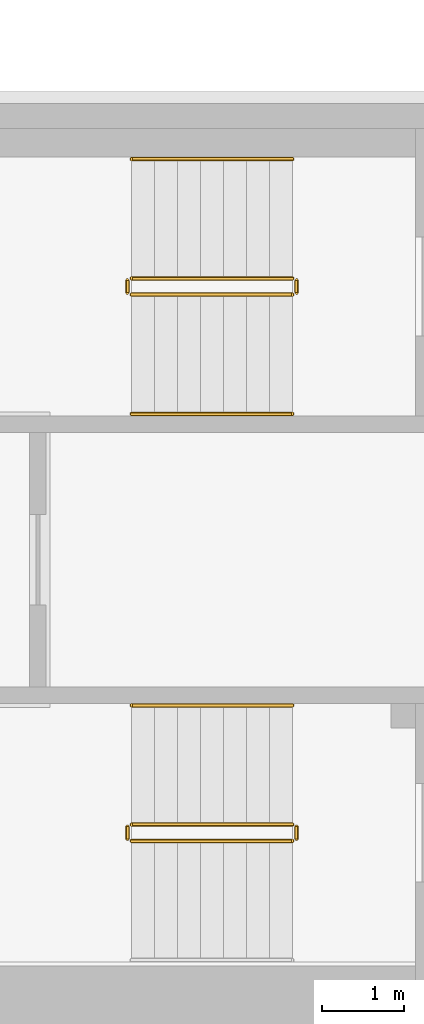
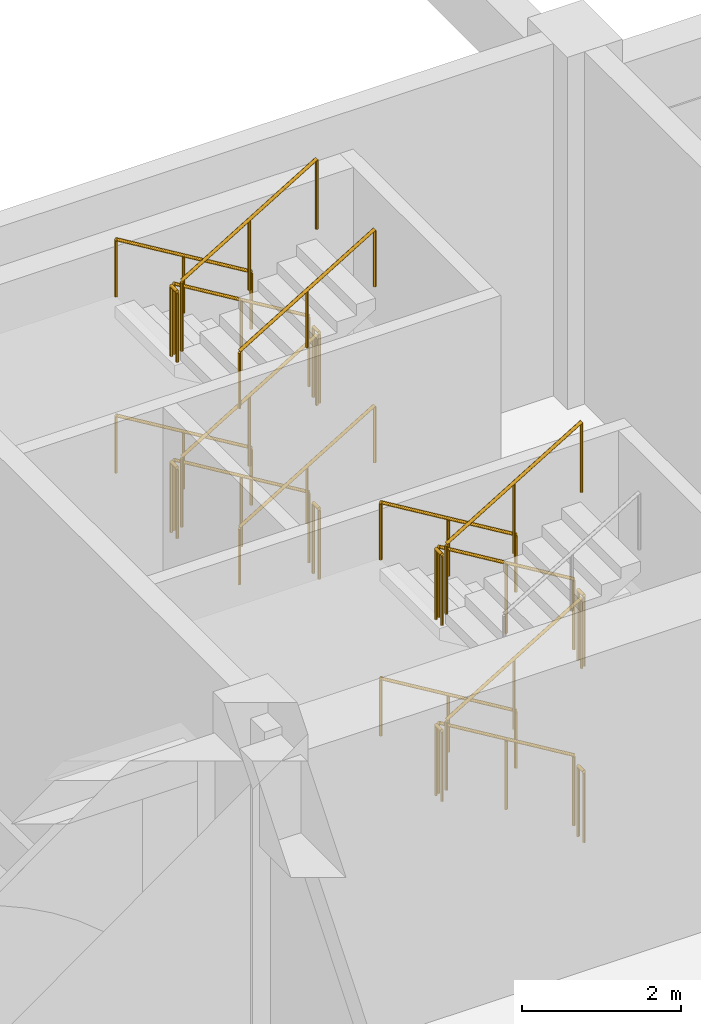
# One storey, part 89 of 101: 22 railings.
"""IFC4 building model written with IfcOpenShell, lengths in metres."""

from ifc_helpers import new_model, si_unit, direction, frame, origin, origin_2d, place, context, subcontext, project, spatial, circle, extrude, material, type_object, element, save


model = new_model("IFC4")

# Units and contexts
model_context = context("Model", 3, precision=1e-05, world=origin(), true_north=direction((0.0, 1.0)))
body_context = subcontext(model_context, "Body", "Model", "MODEL_VIEW")
ifc_project = project(units=[si_unit("LENGTHUNIT", "METRE"), si_unit("AREAUNIT", "SQUARE_METRE"), si_unit("VOLUMEUNIT", "CUBIC_METRE"), si_unit("PLANEANGLEUNIT", "RADIAN"), si_unit("MASSUNIT", "GRAM", prefix="KILO")], contexts=[model_context])

# Site, building, storey
site_placement = place(None, origin())
site = spatial("IfcSite", under=ifc_project, at=site_placement, CompositionType="ELEMENT")
building_placement = place(site_placement, origin())
building = spatial("IfcBuilding", under=site, at=building_placement, Name="Magnolia Steps Interchange", CompositionType="ELEMENT")
storey_placement = place(building_placement, frame((0.0, 0.0, -5.39990234375)))
storey = spatial("IfcBuildingStorey", under=building, at=storey_placement, Name="B1", CompositionType="ELEMENT", Elevation=-5.39990234375)

# Railings
ifc_material_1 = material(Name="Stainless steel grade 304", Category="steel")
railing_type_1 = type_object("IfcRailingType", Name="Stair guard 1100", PredefinedType="GUARDRAIL", material=ifc_material_1)
railing_1_placement = place(storey_placement, frame((59.0, 76.97412109375, 0.168701171875)))
element("IfcRailing", 1, at=railing_1_placement, inside=storey, type_object=railing_type_1, Name="B1 ST1 stair guard 1", PredefinedType="GUARDRAIL", context=body_context, shape_type="SweptSolid", body=[
    extrude(circle(Radius=0.02392578125, at=origin_2d()), frame((0.0, 0.0, 1.076171875), z_axis=(-0.856493463811, 0.0, 0.516157869696), x_axis=(0.0, -1.0, 0.0)), (0.0, 0.0, 1.0), 2.288330078125),
    extrude(circle(Radius=0.02099609375, at=origin_2d()), origin(), (0.0, 0.0, 1.0), 1.052001953125),
    extrude(circle(Radius=0.02099609375, at=origin_2d()), frame((-0.97998046875, 0.0, 0.590576171875)), (0.0, 0.0, 1.0), 1.052001953125),
    extrude(circle(Radius=0.02099609375, at=origin_2d()), frame((-1.9599609375, 0.0, 1.18115234375)), (0.0, 0.0, 1.0), 1.052001953125),
])
railing_2_placement = place(storey_placement, frame((56.989990234375, 76.949951171875, 1.349853515625)))
element("IfcRailing", 2, at=railing_2_placement, inside=storey, type_object=railing_type_1, Name="B1 ST1 stair guard 2", PredefinedType="GUARDRAIL", context=body_context, shape_type="SweptSolid", body=[
    extrude(circle(Radius=0.02392578125, at=origin_2d()), frame((0.0, 0.0, 1.076171875), z_axis=(0.0, -1.0, 0.0), x_axis=(1.0, 0.0, 0.0)), (0.0, 0.0, 1.0), 0.14990234375),
    extrude(circle(Radius=0.02099609375, at=origin_2d()), origin(), (0.0, 0.0, 1.0), 1.052001953125),
    extrude(circle(Radius=0.02099609375, at=origin_2d()), frame((0.0, -0.14990234375, 0.0)), (0.0, 0.0, 1.0), 1.052001953125),
])
railing_3_placement = place(storey_placement, frame((57.0400390625, 76.77587890625, 1.5185546875)))
element("IfcRailing", 3, at=railing_3_placement, inside=storey, type_object=railing_type_1, Name="B1 ST1 stair guard 3", PredefinedType="GUARDRAIL", context=body_context, shape_type="SweptSolid", body=[
    extrude(circle(Radius=0.02392578125, at=origin_2d()), frame((0.0, 0.0, 1.076171875), z_axis=(0.856446297458, 0.0, 0.516236127728), x_axis=(0.0, 1.0, 0.0)), (0.0, 0.0, 1.0), 2.28857421875),
    extrude(circle(Radius=0.02099609375, at=origin_2d()), origin(), (0.0, 0.0, 1.0), 1.052001953125),
    extrude(circle(Radius=0.02099609375, at=origin_2d()), frame((0.97998046875, 0.0, 0.5908203125)), (0.0, 0.0, 1.0), 1.052001953125),
    extrude(circle(Radius=0.02099609375, at=origin_2d()), frame((1.9599609375, 0.0, 1.181396484375)), (0.0, 0.0, 1.0), 1.052001953125),
])
railing_4_placement = place(storey_placement, frame((59.050048828125, 76.949951171875, 2.699951171875)))
element("IfcRailing", 4, at=railing_4_placement, inside=storey, type_object=railing_type_1, Name="B1 ST1 stair guard 4", PredefinedType="GUARDRAIL", context=body_context, shape_type="SweptSolid", body=[
    extrude(circle(Radius=0.02392578125, at=origin_2d()), frame((0.0, 0.0, 1.076171875), z_axis=(0.0, -1.0, 0.0), x_axis=(1.0, 0.0, 0.0)), (0.0, 0.0, 1.0), 0.14990234375),
    extrude(circle(Radius=0.02099609375, at=origin_2d()), origin(), (0.0, 0.0, 1.0), 1.052001953125),
    extrude(circle(Radius=0.02099609375, at=origin_2d()), frame((0.0, -0.14990234375, 0.0)), (0.0, 0.0, 1.0), 1.052001953125),
])
railing_5_placement = place(storey_placement, frame((59.0, 76.97412109375, 2.86865234375)))
element("IfcRailing", 5, at=railing_5_placement, inside=storey, type_object=railing_type_1, Name="B1 ST1 stair guard 5", PredefinedType="GUARDRAIL", context=body_context, shape_type="SweptSolid", body=[
    extrude(circle(Radius=0.02392578125, at=origin_2d()), frame((0.0, 0.0, 1.076171875), z_axis=(-0.856493463811, 0.0, 0.516157869696), x_axis=(0.0, -1.0, 0.0)), (0.0, 0.0, 1.0), 2.288330078125),
    extrude(circle(Radius=0.02099609375, at=origin_2d()), origin(), (0.0, 0.0, 1.0), 1.052001953125),
    extrude(circle(Radius=0.02099609375, at=origin_2d()), frame((-0.97998046875, 0.0, 0.590576171875)), (0.0, 0.0, 1.0), 1.052001953125),
    extrude(circle(Radius=0.02099609375, at=origin_2d()), frame((-1.9599609375, 0.0, 1.18115234375)), (0.0, 0.0, 1.0), 1.052001953125),
])
railing_6_placement = place(storey_placement, frame((56.989990234375, 76.949951171875, 4.0498046875)))
element("IfcRailing", 6, at=railing_6_placement, inside=storey, type_object=railing_type_1, Name="B1 ST1 stair guard 6", PredefinedType="GUARDRAIL", context=body_context, shape_type="SweptSolid", body=[
    extrude(circle(Radius=0.02392578125, at=origin_2d()), frame((0.0, 0.0, 1.076171875), z_axis=(0.0, -1.0, 0.0), x_axis=(1.0, 0.0, 0.0)), (0.0, 0.0, 1.0), 0.14990234375),
    extrude(circle(Radius=0.02099609375, at=origin_2d()), origin(), (0.0, 0.0, 1.0), 1.052001953125),
    extrude(circle(Radius=0.02099609375, at=origin_2d()), frame((0.0, -0.14990234375, 0.0)), (0.0, 0.0, 1.0), 1.052001953125),
])
railing_7_placement = place(storey_placement, frame((57.0400390625, 76.77587890625, 4.21875)))
element("IfcRailing", 7, at=railing_7_placement, inside=storey, type_object=railing_type_1, Name="B1 ST1 stair guard 7", PredefinedType="GUARDRAIL", context=body_context, shape_type="SweptSolid", body=[
    extrude(circle(Radius=0.02392578125, at=origin_2d()), frame((0.0, 0.0, 1.076171875), z_axis=(0.856493463811, 0.0, 0.516157869696), x_axis=(0.0, 1.0, 0.0)), (0.0, 0.0, 1.0), 2.288330078125),
    extrude(circle(Radius=0.02099609375, at=origin_2d()), origin(), (0.0, 0.0, 1.0), 1.052001953125),
    extrude(circle(Radius=0.02099609375, at=origin_2d()), frame((0.97998046875, 0.0, 0.590576171875)), (0.0, 0.0, 1.0), 1.052001953125),
    extrude(circle(Radius=0.02099609375, at=origin_2d()), frame((1.9599609375, 0.0, 1.18115234375)), (0.0, 0.0, 1.0), 1.052001953125),
])
railing_8_placement = place(storey_placement, frame((59.050048828125, 76.949951171875, 0.0)))
element("IfcRailing", 8, at=railing_8_placement, inside=storey, type_object=railing_type_1, Name="B1 ST1 stair guard 8", PredefinedType="GUARDRAIL", context=body_context, shape_type="SweptSolid", body=[
    extrude(circle(Radius=0.02392578125, at=origin_2d()), frame((0.0, 0.0, 1.076171875), z_axis=(0.0, -1.0, 0.0), x_axis=(1.0, 0.0, 0.0)), (0.0, 0.0, 1.0), 0.14990234375),
    extrude(circle(Radius=0.02099609375, at=origin_2d()), origin(), (0.0, 0.0, 1.0), 1.052001953125),
    extrude(circle(Radius=0.02099609375, at=origin_2d()), frame((0.0, -0.14990234375, 0.0)), (0.0, 0.0, 1.0), 1.052001953125),
])
railing_9_placement = place(storey_placement, frame((59.0, 83.6240234375, 0.168701171875)))
element("IfcRailing", 9, at=railing_9_placement, inside=storey, type_object=railing_type_1, Name="B1 ST2 stair guard 1", PredefinedType="GUARDRAIL", context=body_context, shape_type="SweptSolid", body=[
    extrude(circle(Radius=0.02392578125, at=origin_2d()), frame((0.0, 0.0, 1.076171875), z_axis=(-0.856493463811, 0.0, 0.516157869696), x_axis=(0.0, -1.0, 0.0)), (0.0, 0.0, 1.0), 2.288330078125),
    extrude(circle(Radius=0.02099609375, at=origin_2d()), origin(), (0.0, 0.0, 1.0), 1.052001953125),
    extrude(circle(Radius=0.02099609375, at=origin_2d()), frame((-0.97998046875, 0.0, 0.590576171875)), (0.0, 0.0, 1.0), 1.052001953125),
    extrude(circle(Radius=0.02099609375, at=origin_2d()), frame((-1.9599609375, 0.0, 1.18115234375)), (0.0, 0.0, 1.0), 1.052001953125),
])
railing_10_placement = place(storey_placement, frame((56.989990234375, 83.60009765625, 1.349853515625)))
element("IfcRailing", 10, at=railing_10_placement, inside=storey, type_object=railing_type_1, Name="B1 ST2 stair guard 2", PredefinedType="GUARDRAIL", context=body_context, shape_type="SweptSolid", body=[
    extrude(circle(Radius=0.02392578125, at=origin_2d()), frame((0.0, 0.0, 1.076171875), z_axis=(0.0, -1.0, 0.0), x_axis=(1.0, 0.0, 0.0)), (0.0, 0.0, 1.0), 0.150146484375),
    extrude(circle(Radius=0.02099609375, at=origin_2d()), origin(), (0.0, 0.0, 1.0), 1.052001953125),
    extrude(circle(Radius=0.02099609375, at=origin_2d()), frame((0.0, -0.150146484375, 0.0)), (0.0, 0.0, 1.0), 1.052001953125),
])
railing_11_placement = place(storey_placement, frame((57.0400390625, 83.426025390625, 1.5185546875)))
element("IfcRailing", 11, at=railing_11_placement, inside=storey, type_object=railing_type_1, Name="B1 ST2 stair guard 3", PredefinedType="GUARDRAIL", context=body_context, shape_type="SweptSolid", body=[
    extrude(circle(Radius=0.02392578125, at=origin_2d()), frame((0.0, 0.0, 1.076171875), z_axis=(0.856446297458, 0.0, 0.516236127728), x_axis=(0.0, 1.0, 0.0)), (0.0, 0.0, 1.0), 2.28857421875),
    extrude(circle(Radius=0.02099609375, at=origin_2d()), origin(), (0.0, 0.0, 1.0), 1.052001953125),
    extrude(circle(Radius=0.02099609375, at=origin_2d()), frame((0.97998046875, 0.0, 0.5908203125)), (0.0, 0.0, 1.0), 1.052001953125),
    extrude(circle(Radius=0.02099609375, at=origin_2d()), frame((1.9599609375, 0.0, 1.181396484375)), (0.0, 0.0, 1.0), 1.052001953125),
])
railing_12_placement = place(storey_placement, frame((59.050048828125, 83.60009765625, 2.699951171875)))
element("IfcRailing", 12, at=railing_12_placement, inside=storey, type_object=railing_type_1, Name="B1 ST2 stair guard 4", PredefinedType="GUARDRAIL", context=body_context, shape_type="SweptSolid", body=[
    extrude(circle(Radius=0.02392578125, at=origin_2d()), frame((0.0, 0.0, 1.076171875), z_axis=(0.0, -1.0, 0.0), x_axis=(1.0, 0.0, 0.0)), (0.0, 0.0, 1.0), 0.150146484375),
    extrude(circle(Radius=0.02099609375, at=origin_2d()), origin(), (0.0, 0.0, 1.0), 1.052001953125),
    extrude(circle(Radius=0.02099609375, at=origin_2d()), frame((0.0, -0.150146484375, 0.0)), (0.0, 0.0, 1.0), 1.052001953125),
])
railing_13_placement = place(storey_placement, frame((59.0, 83.6240234375, 2.86865234375)))
element("IfcRailing", 13, at=railing_13_placement, inside=storey, type_object=railing_type_1, Name="B1 ST2 stair guard 5", PredefinedType="GUARDRAIL", context=body_context, shape_type="SweptSolid", body=[
    extrude(circle(Radius=0.02392578125, at=origin_2d()), frame((0.0, 0.0, 1.076171875), z_axis=(-0.856493463811, 0.0, 0.516157869696), x_axis=(0.0, -1.0, 0.0)), (0.0, 0.0, 1.0), 2.288330078125),
    extrude(circle(Radius=0.02099609375, at=origin_2d()), origin(), (0.0, 0.0, 1.0), 1.052001953125),
    extrude(circle(Radius=0.02099609375, at=origin_2d()), frame((-0.97998046875, 0.0, 0.590576171875)), (0.0, 0.0, 1.0), 1.052001953125),
    extrude(circle(Radius=0.02099609375, at=origin_2d()), frame((-1.9599609375, 0.0, 1.18115234375)), (0.0, 0.0, 1.0), 1.052001953125),
])
railing_14_placement = place(storey_placement, frame((56.989990234375, 83.60009765625, 4.0498046875)))
element("IfcRailing", 14, at=railing_14_placement, inside=storey, type_object=railing_type_1, Name="B1 ST2 stair guard 6", PredefinedType="GUARDRAIL", context=body_context, shape_type="SweptSolid", body=[
    extrude(circle(Radius=0.02392578125, at=origin_2d()), frame((0.0, 0.0, 1.076171875), z_axis=(0.0, -1.0, 0.0), x_axis=(1.0, 0.0, 0.0)), (0.0, 0.0, 1.0), 0.150146484375),
    extrude(circle(Radius=0.02099609375, at=origin_2d()), origin(), (0.0, 0.0, 1.0), 1.052001953125),
    extrude(circle(Radius=0.02099609375, at=origin_2d()), frame((0.0, -0.150146484375, 0.0)), (0.0, 0.0, 1.0), 1.052001953125),
])
railing_15_placement = place(storey_placement, frame((57.0400390625, 83.426025390625, 4.21875)))
element("IfcRailing", 15, at=railing_15_placement, inside=storey, type_object=railing_type_1, Name="B1 ST2 stair guard 7", PredefinedType="GUARDRAIL", context=body_context, shape_type="SweptSolid", body=[
    extrude(circle(Radius=0.02392578125, at=origin_2d()), frame((0.0, 0.0, 1.076171875), z_axis=(0.856493463811, 0.0, 0.516157869696), x_axis=(0.0, 1.0, 0.0)), (0.0, 0.0, 1.0), 2.288330078125),
    extrude(circle(Radius=0.02099609375, at=origin_2d()), origin(), (0.0, 0.0, 1.0), 1.052001953125),
    extrude(circle(Radius=0.02099609375, at=origin_2d()), frame((0.97998046875, 0.0, 0.590576171875)), (0.0, 0.0, 1.0), 1.052001953125),
    extrude(circle(Radius=0.02099609375, at=origin_2d()), frame((1.9599609375, 0.0, 1.18115234375)), (0.0, 0.0, 1.0), 1.052001953125),
])
railing_16_placement = place(storey_placement, frame((59.050048828125, 83.60009765625, 0.0)))
element("IfcRailing", 16, at=railing_16_placement, inside=storey, type_object=railing_type_1, Name="B1 ST2 stair guard 8", PredefinedType="GUARDRAIL", context=body_context, shape_type="SweptSolid", body=[
    extrude(circle(Radius=0.02392578125, at=origin_2d()), frame((0.0, 0.0, 1.076171875), z_axis=(0.0, -1.0, 0.0), x_axis=(1.0, 0.0, 0.0)), (0.0, 0.0, 1.0), 0.150146484375),
    extrude(circle(Radius=0.02099609375, at=origin_2d()), origin(), (0.0, 0.0, 1.0), 1.052001953125),
    extrude(circle(Radius=0.02099609375, at=origin_2d()), frame((0.0, -0.150146484375, 0.0)), (0.0, 0.0, 1.0), 1.052001953125),
])
ifc_material_2 = material(Name="Stainless steel grade 304", Category="steel")
railing_type_2 = type_object("IfcRailingType", Name="Stair handrail 900", PredefinedType="HANDRAIL", material=ifc_material_2)
for number, where, name in (
    (17, (59.0, 78.426025390625, 0.168701171875), "B1 ST1 stair handrail 1"),
    (18, (59.0, 78.426025390625, 2.86865234375), "B1 ST1 stair handrail 3"),
    (19, (59.0, 85.075927734375, 0.168701171875), "B1 ST2 stair handrail 1"),
):
    element("IfcRailing", number, at=place(storey_placement, frame(where)), inside=storey, type_object=railing_type_2, Name=name, PredefinedType="HANDRAIL", context=body_context, shape_type="SweptSolid", body=[
        extrude(circle(Radius=0.02392578125, at=origin_2d()), frame((0.0, 0.0, 0.8759765625), z_axis=(-0.856493463811, 0.0, 0.516157869696), x_axis=(0.0, -1.0, 0.0)), (0.0, 0.0, 1.0), 2.288330078125),
        extrude(circle(Radius=0.02099609375, at=origin_2d()), origin(), (0.0, 0.0, 1.0), 0.851806640625),
        extrude(circle(Radius=0.02099609375, at=origin_2d()), frame((-0.97998046875, 0.0, 0.590576171875)), (0.0, 0.0, 1.0), 0.851806640625),
        extrude(circle(Radius=0.02099609375, at=origin_2d()), frame((-1.9599609375, 0.0, 1.18115234375)), (0.0, 0.0, 1.0), 0.851806640625),
    ])
railing_17_placement = place(storey_placement, frame((57.0400390625, 81.97412109375, 1.5185546875)))
element("IfcRailing", 20, at=railing_17_placement, inside=storey, type_object=railing_type_2, Name="B1 ST2 stair handrail 2", PredefinedType="HANDRAIL", context=body_context, shape_type="SweptSolid", body=[
    extrude(circle(Radius=0.02392578125, at=origin_2d()), frame((0.0, 0.0, 0.8759765625), z_axis=(0.856446297458, 0.0, 0.516236127728), x_axis=(0.0, 1.0, 0.0)), (0.0, 0.0, 1.0), 2.28857421875),
    extrude(circle(Radius=0.02099609375, at=origin_2d()), origin(), (0.0, 0.0, 1.0), 0.851806640625),
    extrude(circle(Radius=0.02099609375, at=origin_2d()), frame((0.97998046875, 0.0, 0.5908203125)), (0.0, 0.0, 1.0), 0.851806640625),
    extrude(circle(Radius=0.02099609375, at=origin_2d()), frame((1.9599609375, 0.0, 1.181396484375)), (0.0, 0.0, 1.0), 0.851806640625),
])
railing_18_placement = place(storey_placement, frame((59.0, 85.075927734375, 2.86865234375)))
element("IfcRailing", 21, at=railing_18_placement, inside=storey, type_object=railing_type_2, Name="B1 ST2 stair handrail 3", PredefinedType="HANDRAIL", context=body_context, shape_type="SweptSolid", body=[
    extrude(circle(Radius=0.02392578125, at=origin_2d()), frame((0.0, 0.0, 0.8759765625), z_axis=(-0.856493463811, 0.0, 0.516157869696), x_axis=(0.0, -1.0, 0.0)), (0.0, 0.0, 1.0), 2.288330078125),
    extrude(circle(Radius=0.02099609375, at=origin_2d()), origin(), (0.0, 0.0, 1.0), 0.851806640625),
    extrude(circle(Radius=0.02099609375, at=origin_2d()), frame((-0.97998046875, 0.0, 0.590576171875)), (0.0, 0.0, 1.0), 0.851806640625),
    extrude(circle(Radius=0.02099609375, at=origin_2d()), frame((-1.9599609375, 0.0, 1.18115234375)), (0.0, 0.0, 1.0), 0.851806640625),
])
railing_19_placement = place(storey_placement, frame((57.0400390625, 81.97412109375, 4.21875)))
element("IfcRailing", 22, at=railing_19_placement, inside=storey, type_object=railing_type_2, Name="B1 ST2 stair handrail 4", PredefinedType="HANDRAIL", context=body_context, shape_type="SweptSolid", body=[
    extrude(circle(Radius=0.02392578125, at=origin_2d()), frame((0.0, 0.0, 0.8759765625), z_axis=(0.856493463811, 0.0, 0.516157869696), x_axis=(0.0, 1.0, 0.0)), (0.0, 0.0, 1.0), 2.288330078125),
    extrude(circle(Radius=0.02099609375, at=origin_2d()), origin(), (0.0, 0.0, 1.0), 0.851806640625),
    extrude(circle(Radius=0.02099609375, at=origin_2d()), frame((0.97998046875, 0.0, 0.590576171875)), (0.0, 0.0, 1.0), 0.851806640625),
    extrude(circle(Radius=0.02099609375, at=origin_2d()), frame((1.9599609375, 0.0, 1.18115234375)), (0.0, 0.0, 1.0), 0.851806640625),
])

save(model, "model.ifc")
